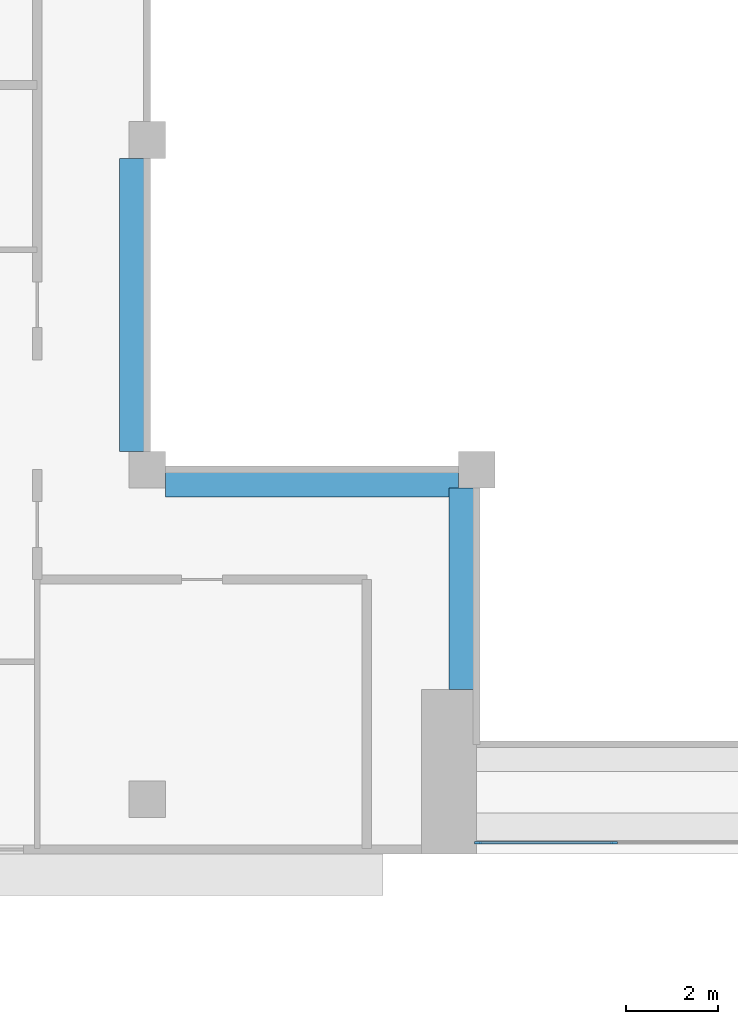
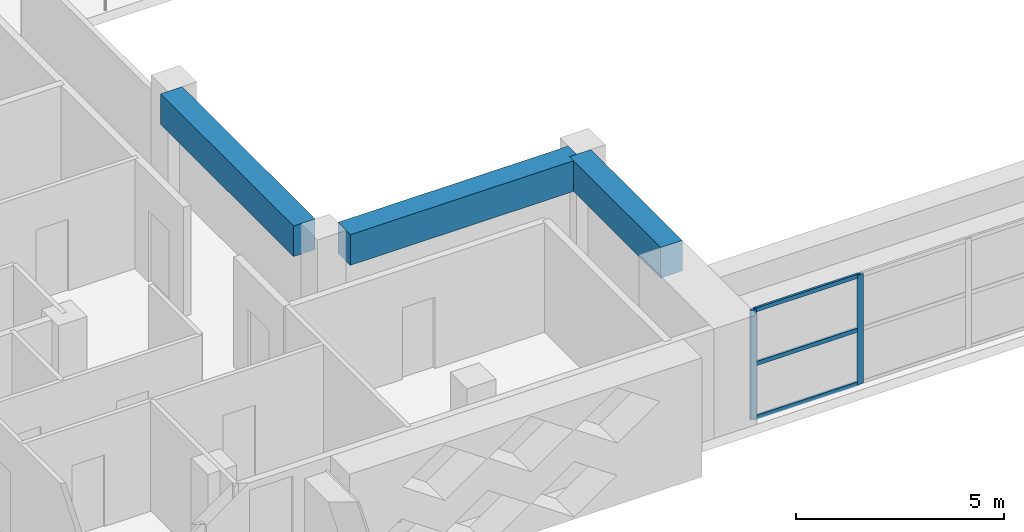
# One storey, part 2 of 19: 5 members, 3 beams, 1 element without a shape of its own.
"""IFC4 building model written with IfcOpenShell, lengths in metres."""

from ifc_helpers import new_model, si_unit, direction, frame, origin, origin_2d, place, context, subcontext, project, spatial, rectangle, extrude, source, transform, mapped, material, layer, layer_set, material_profile, profile_set, type_object, element, aggregate, save


model = new_model("IFC4")

# Units and contexts
model_context = context("Model", 3, precision=1e-05, world=origin(), true_north=direction((0.0, 1.0)))
body_context = subcontext(model_context, "Body", "Model", "MODEL_VIEW")
ifc_project = project(units=[si_unit("LENGTHUNIT", "METRE"), si_unit("AREAUNIT", "SQUARE_METRE"), si_unit("VOLUMEUNIT", "CUBIC_METRE"), si_unit("PLANEANGLEUNIT", "RADIAN"), si_unit("MASSUNIT", "GRAM", prefix="KILO")], contexts=[model_context])

# Site, building, storey
site_placement = place(None, origin())
site = spatial("IfcSite", under=ifc_project, at=site_placement, CompositionType="ELEMENT")
building_placement = place(site_placement, origin())
building = spatial("IfcBuilding", under=site, at=building_placement, Name="Saffron Iwan Residences", CompositionType="ELEMENT")
storey_placement = place(building_placement, frame((0.0, 0.0, 236.0)))
storey = spatial("IfcBuildingStorey", under=building, at=storey_placement, Name="L63", CompositionType="ELEMENT", Elevation=236.0)

# Beams
ifc_material_1 = material(Name="Concrete C40/50", Category="concrete")
ifc_material_profile_1 = material_profile(ifc_material_1, rectangle(XDim=0.60009765625, YDim=0.89990234375, at=origin_2d()), Name="RC 600x900")
ifc_profile_set_1 = profile_set([ifc_material_profile_1], Name="Concrete C40/50")
beam_type = type_object("IfcBeamType", Name="BEAM RC 600x900 C40/50 TOP 3220", PredefinedType="BEAM", material=ifc_profile_set_1)
shared_shape_1 = source(origin(), body_context, "Body", "SweptSolid", [
    extrude(rectangle(XDim=0.60009765625, YDim=0.89990234375, at=origin_2d()), origin(), (0.0, 0.0, 1.0), 4.400146484375),
])
beam_placement = place(storey_placement, frame((42.89990234375, 43.199951171875, 2.77001953125), z_axis=(0.0, 1.0, 0.0), x_axis=(-1.0, 0.0, 0.0)))
element("IfcBeam", 1, at=beam_placement, inside=storey, type_object=beam_type, Name="Atrium edge beam", PredefinedType="BEAM", context=body_context, shape_type="MappedRepresentation", body=[
    mapped(shared_shape_1, transform((0.0, 0.0, 0.0))),
])
shared_shape_2 = source(origin(), body_context, "Body", "SweptSolid", [
    extrude(rectangle(XDim=0.60009765625, YDim=0.89990234375, at=origin_2d()), origin(), (0.0, 0.0, 1.0), 6.400146484375),
])
for number, where, z_axis, x_axis, name in (
    (2, (42.800048828125, 47.699951171875, 2.77001953125), (-1.0, 0.0, 0.0), (0.0, -1.0, 0.0), "Atrium edge beam"),
    (3, (35.699951171875, 48.39990234375, 2.77001953125), (0.0, 1.0, 0.0), (-1.0, 0.0, 0.0), "Atrium edge beam"),
):
    element("IfcBeam", number, at=place(storey_placement, frame(where, z_axis=z_axis, x_axis=x_axis)), inside=storey, type_object=beam_type, Name=name, PredefinedType="BEAM", context=body_context, shape_type="MappedRepresentation", body=[
        mapped(shared_shape_2, transform((0.0, 0.0, 0.0))),
    ])

# Curtain wall, members
ifc_material_2 = material(Name="Clear glass, laminated double glazed", Category="glass")
ifc_layer = layer(ifc_material_2, 0.199951171875)
ifc_layer_set = layer_set([ifc_layer], Name="Clear glass, laminated double glazed")
curtain_wall_type = type_object("IfcCurtainWallType", Name="CW-B IWAN PORTAL", PredefinedType="NOTDEFINED", material=ifc_layer_set)
curtain_wall_placement = place(storey_placement, origin())
curtain_wall = element("IfcCurtainWall", 4, at=curtain_wall_placement, inside=storey, type_object=curtain_wall_type, Name="Iwan portal glazing L63.1", PredefinedType="NOTDEFINED")
ifc_material_3 = material(Name="Aluminium 6063-T6", Category="aluminium")
ifc_material_profile_2 = material_profile(ifc_material_3, rectangle(XDim=0.06005859375, YDim=0.1201171875, at=origin_2d()), Name="CW-B TRANSOM 60 x 120")
ifc_profile_set_2 = profile_set([ifc_material_profile_2], Name="Aluminium 6063-T6")
member_type_1 = type_object("IfcMemberType", Name="CW-B TRANSOM 60 x 120", PredefinedType="USERDEFINED", material=ifc_profile_set_2)
shared_shape_3 = source(origin(), body_context, "Body", "SweptSolid", [
    extrude(rectangle(XDim=0.06005859375, YDim=0.1201171875, at=origin_2d()), origin(), (0.0, 0.0, 1.0), 2.909912109375),
])
member_1_placement = place(storey_placement, frame((43.260009765625, 39.85009765625, 0.030029296875), z_axis=(1.0, 0.0, 0.0), x_axis=(0.0, 1.0, 0.0)))
member_1 = element("IfcMember", 5, at=member_1_placement, type_object=member_type_1, Name="CW-B transom 1.1", ObjectType="TRANSOM", PredefinedType="USERDEFINED", context=body_context, shape_type="MappedRepresentation", body=[
    mapped(shared_shape_3, transform((0.0, 0.0, 0.0))),
])
member_2_placement = place(storey_placement, frame((43.260009765625, 39.85009765625, 1.610107421875), z_axis=(1.0, 0.0, 0.0), x_axis=(0.0, 1.0, 0.0)))
member_2 = element("IfcMember", 6, at=member_2_placement, type_object=member_type_1, Name="CW-B transom 1.2", ObjectType="TRANSOM", PredefinedType="USERDEFINED", context=body_context, shape_type="MappedRepresentation", body=[
    mapped(shared_shape_3, transform((0.0, 0.0, 0.0))),
])
member_3_placement = place(storey_placement, frame((43.260009765625, 39.85009765625, 3.18994140625), z_axis=(1.0, 0.0, 0.0), x_axis=(0.0, 1.0, 0.0)))
member_3 = element("IfcMember", 7, at=member_3_placement, type_object=member_type_1, Name="CW-B transom 1.3", ObjectType="TRANSOM", PredefinedType="USERDEFINED", context=body_context, shape_type="MappedRepresentation", body=[
    mapped(shared_shape_3, transform((0.0, 0.0, 0.0))),
])
ifc_material_profile_3 = material_profile(ifc_material_3, rectangle(XDim=0.06005859375, YDim=0.159912109375, at=origin_2d()), Name="CW-B MULLION 60 x 160")
ifc_profile_set_3 = profile_set([ifc_material_profile_3], Name="Aluminium 6063-T6")
member_type_2 = type_object("IfcMemberType", Name="CW-B MULLION 60 x 160", PredefinedType="MULLION", material=ifc_profile_set_3)
shared_shape_4 = source(origin(), body_context, "Body", "SweptSolid", [
    extrude(rectangle(XDim=0.06005859375, YDim=0.159912109375, at=origin_2d()), origin(), (0.0, 0.0, 1.0), 3.219970703125),
])
member_4_placement = place(storey_placement, frame((43.22998046875, 39.85009765625, 0.0), z_axis=(0.0, 0.0, 1.0), x_axis=(0.0, 1.0, 0.0)))
member_4 = element("IfcMember", 8, at=member_4_placement, type_object=member_type_2, Name="CW-B mullion 1", PredefinedType="MULLION", context=body_context, shape_type="MappedRepresentation", body=[
    mapped(shared_shape_4, transform((0.0, 0.0, 0.0))),
])
member_5_placement = place(storey_placement, frame((46.199951171875, 39.85009765625, 0.0), z_axis=(0.0, 0.0, 1.0), x_axis=(0.0, 1.0, 0.0)))
member_5 = element("IfcMember", 9, at=member_5_placement, type_object=member_type_2, Name="CW-B mullion 2", PredefinedType="MULLION", context=body_context, shape_type="MappedRepresentation", body=[
    mapped(shared_shape_4, transform((0.0, 0.0, 0.0))),
])
aggregate(curtain_wall, [member_4, member_5, member_1, member_2, member_3])

save(model, "model.ifc")
